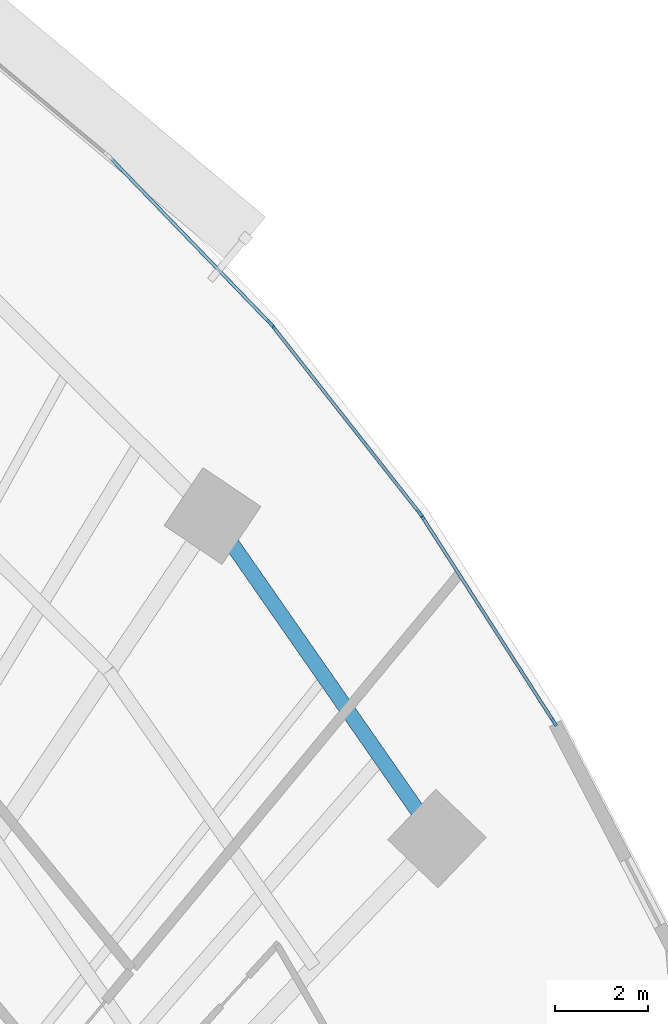
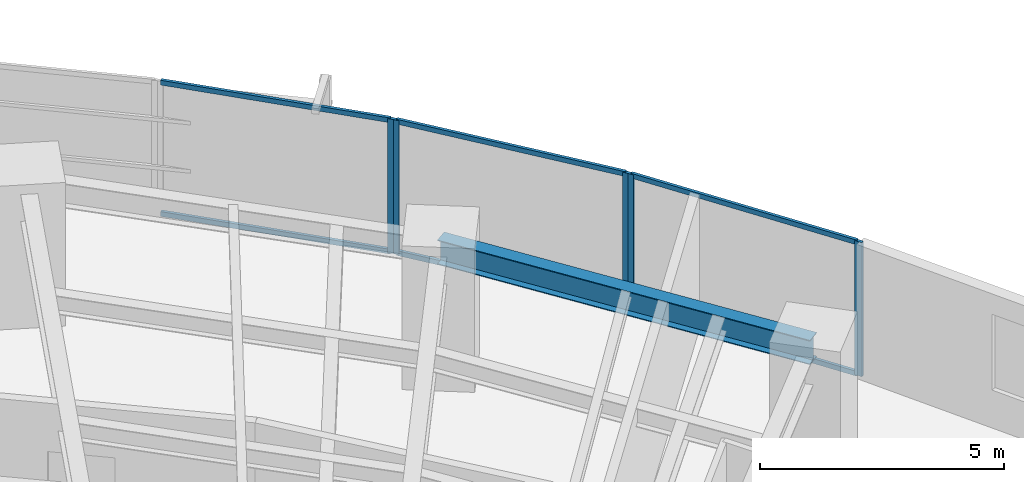
# One storey, part 8 of 17: 11 members, 1 beam, 3 elements without a shape of their own.
"""IFC4 building model written with IfcOpenShell, lengths in metres."""

from ifc_helpers import new_model, si_unit, direction, frame, origin, origin_2d, place, context, subcontext, project, spatial, rectangle, i_section, extrude, source, transform, mapped, material, layer, layer_set, material_profile, profile_set, type_object, element, aggregate, save


model = new_model("IFC4")

# Units and contexts
model_context = context("Model", 3, precision=1e-05, world=origin(), true_north=direction((0.0, 1.0)))
body_context = subcontext(model_context, "Body", "Model", "MODEL_VIEW")
ifc_project = project(units=[si_unit("LENGTHUNIT", "METRE"), si_unit("AREAUNIT", "SQUARE_METRE"), si_unit("VOLUMEUNIT", "CUBIC_METRE"), si_unit("PLANEANGLEUNIT", "RADIAN"), si_unit("MASSUNIT", "GRAM", prefix="KILO")], contexts=[model_context])

# Site, building, storey
site_placement = place(None, origin())
site = spatial("IfcSite", under=ifc_project, at=site_placement, CompositionType="ELEMENT")
building_placement = place(site_placement, origin())
building = spatial("IfcBuilding", under=site, at=building_placement, Name="Breltana Convention Tower", CompositionType="ELEMENT")
storey_placement = place(building_placement, frame((0.0, 0.0, 67.800048828125)))
storey = spatial("IfcBuildingStorey", under=building, at=storey_placement, Name="L15", CompositionType="ELEMENT", Elevation=67.800048828125)

# Beam
ifc_material_1 = material(Name="Steel ASTM A992 Grade 50", Category="steel")
ifc_material_profile_1 = material_profile(ifc_material_1, i_section(OverallWidth=0.323974609375, OverallDepth=0.611083984375, WebThickness=0.0126953125, FlangeThickness=0.01904296875, at=origin_2d()), Name="W24X104")
ifc_profile_set_1 = profile_set([ifc_material_profile_1], Name="Steel ASTM A992 Grade 50")
beam_type = type_object("IfcBeamType", Name="BM-SP-W24X104", PredefinedType="SPANDREL", material=ifc_profile_set_1)
shared_shape_1 = source(origin(), body_context, "Body", "SweptSolid", [
    extrude(i_section(OverallWidth=0.323974609375, OverallDepth=0.611083984375, WebThickness=0.0126953125, FlangeThickness=0.01904296875, at=origin_2d()), origin(), (0.0, 0.0, 1.0), 8.44970703125),
])
beam_placement = place(storey_placement, frame((75.166748046875, 62.43017578125, 3.054443359375), z_axis=(0.5711855381, -0.820820979913, 0.0), x_axis=(0.820820979913, 0.5711855381, 0.0)))
element("IfcBeam", 1, at=beam_placement, inside=storey, type_object=beam_type, Name="L15 Outer Spandrel Beam 10", PredefinedType="SPANDREL", context=body_context, shape_type="MappedRepresentation", body=[
    mapped(shared_shape_1, transform((0.0, 0.0, 0.0), scale=1.0)),
])

# Curtain wall, members
ifc_material_2 = material(Name="Aluminium Anodised Bronze Frame", Category="aluminium")
ifc_layer = layer(ifc_material_2, 0.199951171875, Name="Aluminium Anodised Bronze Frame")
ifc_layer_set = layer_set([ifc_layer], Name="Aluminium Anodised Bronze Frame")
curtain_wall_type = type_object("IfcCurtainWallType", Name="CW-SYS-2", PredefinedType="NOTDEFINED", material=ifc_layer_set)
curtain_wall_1_placement = place(storey_placement, origin())
curtain_wall_1 = element("IfcCurtainWall", 2, at=curtain_wall_1_placement, inside=storey, type_object=curtain_wall_type, Name="L15 outer double-skin inner glazing 17", PredefinedType="NOTDEFINED")
ifc_material_3 = material(Name="Aluminium Anodised Bronze", Category="aluminium")
ifc_material_profile_2 = material_profile(ifc_material_3, rectangle(XDim=0.070068359375, YDim=0.1201171875, at=origin_2d()), Name="CWT-70X120")
ifc_profile_set_2 = profile_set([ifc_material_profile_2], Name="Aluminium Anodised Bronze")
member_type_1 = type_object("IfcMemberType", Name="CWT-120", PredefinedType="USERDEFINED", material=ifc_profile_set_2)
shared_shape_2 = source(origin(), body_context, "Body", "SweptSolid", [
    extrude(rectangle(XDim=0.070068359375, YDim=0.1201171875, at=origin_2d()), origin(), (0.0, 0.0, 1.0), 5.0546875),
])
member_1_placement = place(storey_placement, frame((76.4765625, 66.491455078125, 0.034912109375), z_axis=(0.618135067667, -0.786071903913, 0.0), x_axis=(0.786071903913, 0.618135067667, 0.0)))
member_1 = element("IfcMember", 3, at=member_1_placement, type_object=member_type_1, Name="CW-02 transom 1.1", ObjectType="TRANSOM", PredefinedType="USERDEFINED", context=body_context, shape_type="MappedRepresentation", body=[
    mapped(shared_shape_2, transform((0.0, 0.0, 0.0), scale=1.0)),
])
member_2_placement = place(storey_placement, frame((76.4765625, 66.491455078125, 3.324951171875), z_axis=(0.618135067667, -0.786071903913, 0.0), x_axis=(0.786071903913, 0.618135067667, 0.0)))
member_2 = element("IfcMember", 4, at=member_2_placement, type_object=member_type_1, Name="CW-02 transom 1.2", ObjectType="TRANSOM", PredefinedType="USERDEFINED", context=body_context, shape_type="MappedRepresentation", body=[
    mapped(shared_shape_2, transform((0.0, 0.0, 0.0), scale=1.0)),
])

curtain_wall_2_placement = place(storey_placement, origin())
curtain_wall_2 = element("IfcCurtainWall", 5, at=curtain_wall_2_placement, inside=storey, type_object=curtain_wall_type, Name="L15 outer double-skin inner glazing 16", PredefinedType="NOTDEFINED")
shared_shape_3 = source(origin(), body_context, "Body", "SweptSolid", [
    extrude(rectangle(XDim=0.070068359375, YDim=0.1201171875, at=origin_2d()), origin(), (0.0, 0.0, 1.0), 4.901123046875),
])
member_3_placement = place(storey_placement, frame((72.980224609375, 70.12255859375, 0.034912109375), z_axis=(0.6945945137, -0.719401460617, 0.0), x_axis=(0.719401460617, 0.6945945137, 0.0)))
member_3 = element("IfcMember", 6, at=member_3_placement, type_object=member_type_1, Name="CW-02 transom 1.1", ObjectType="TRANSOM", PredefinedType="USERDEFINED", context=body_context, shape_type="MappedRepresentation", body=[
    mapped(shared_shape_3, transform((0.0, 0.0, 0.0), scale=1.0)),
])
member_4_placement = place(storey_placement, frame((72.980224609375, 70.12255859375, 3.324951171875), z_axis=(0.6945945137, -0.719401460617, 0.0), x_axis=(0.719401460617, 0.6945945137, 0.0)))
member_4 = element("IfcMember", 7, at=member_4_placement, type_object=member_type_1, Name="CW-02 transom 1.2", ObjectType="TRANSOM", PredefinedType="USERDEFINED", context=body_context, shape_type="MappedRepresentation", body=[
    mapped(shared_shape_3, transform((0.0, 0.0, 0.0), scale=1.0)),
])

curtain_wall_3_placement = place(storey_placement, origin())
curtain_wall_3 = element("IfcCurtainWall", 8, at=curtain_wall_3_placement, inside=storey, type_object=curtain_wall_type, Name="L15 outer double-skin inner glazing 18", PredefinedType="NOTDEFINED")
shared_shape_4 = source(origin(), body_context, "Body", "SweptSolid", [
    extrude(rectangle(XDim=0.070068359375, YDim=0.1201171875, at=origin_2d()), origin(), (0.0, 0.0, 1.0), 5.205810546875),
])
member_5_placement = place(storey_placement, frame((79.68212890625, 62.404296875, 0.034912109375), z_axis=(0.540179102764, -0.841550079875, 0.0), x_axis=(0.841550079875, 0.540179102764, 0.0)))
member_5 = element("IfcMember", 9, at=member_5_placement, type_object=member_type_1, Name="CW-02 transom 1.1", ObjectType="TRANSOM", PredefinedType="USERDEFINED", context=body_context, shape_type="MappedRepresentation", body=[
    mapped(shared_shape_4, transform((0.0, 0.0, 0.0), scale=1.0)),
])
member_6_placement = place(storey_placement, frame((79.68212890625, 62.404296875, 3.324951171875), z_axis=(0.540179102764, -0.841550079875, 0.0), x_axis=(0.841550079875, 0.540179102764, 0.0)))
member_6 = element("IfcMember", 10, at=member_6_placement, type_object=member_type_1, Name="CW-02 transom 1.2", ObjectType="TRANSOM", PredefinedType="USERDEFINED", context=body_context, shape_type="MappedRepresentation", body=[
    mapped(shared_shape_4, transform((0.0, 0.0, 0.0), scale=1.0)),
])

# Member
ifc_material_profile_3 = material_profile(ifc_material_3, rectangle(XDim=0.070068359375, YDim=0.175048828125, at=origin_2d()), Name="CWM-70X175")
ifc_profile_set_3 = profile_set([ifc_material_profile_3], Name="Aluminium Anodised Bronze")
member_type_2 = type_object("IfcMemberType", Name="CWM-175", PredefinedType="MULLION", material=ifc_profile_set_3)
shared_shape_5 = source(origin(), body_context, "Body", "SweptSolid", [
    extrude(rectangle(XDim=0.070068359375, YDim=0.175048828125, at=origin_2d()), origin(), (0.0, 0.0, 1.0), 3.35986328125),
])
member_7_placement = place(storey_placement, frame((76.408935546875, 66.571533203125, 0.0), z_axis=(0.0, 0.0, 1.0), x_axis=(0.719386421003, 0.694610090106, 0.0)))
member_7 = element("IfcMember", 11, at=member_7_placement, type_object=member_type_2, Name="CW-02 mullion 2", PredefinedType="MULLION", context=body_context, shape_type="MappedRepresentation", body=[
    mapped(shared_shape_5, transform((0.0, 0.0, 0.0), scale=1.0)),
])

aggregate(curtain_wall_2, [member_7, member_3, member_4])

member_8_placement = place(storey_placement, frame((76.454833984375, 66.518798828125, 0.0), z_axis=(0.0, 0.0, 1.0), x_axis=(0.786057080698, 0.618153917633, 0.0)))
member_8 = element("IfcMember", 12, at=member_8_placement, type_object=member_type_2, Name="CW-02 mullion 1", PredefinedType="MULLION", context=body_context, shape_type="MappedRepresentation", body=[
    mapped(shared_shape_5, transform((0.0, 0.0, 0.0), scale=1.0)),
])

member_9_placement = place(storey_placement, frame((79.62255859375, 62.49072265625, 0.0), z_axis=(0.0, 0.0, 1.0), x_axis=(0.786057080698, 0.618153917633, 0.0)))
member_9 = element("IfcMember", 13, at=member_9_placement, type_object=member_type_2, Name="CW-02 mullion 2", PredefinedType="MULLION", context=body_context, shape_type="MappedRepresentation", body=[
    mapped(shared_shape_5, transform((0.0, 0.0, 0.0), scale=1.0)),
])

aggregate(curtain_wall_1, [member_8, member_9, member_1, member_2])

member_10_placement = place(storey_placement, frame((79.6630859375, 62.43359375, 0.0), z_axis=(0.0, 0.0, 1.0), x_axis=(0.841549039154, 0.540180724109, 0.0)))
member_10 = element("IfcMember", 14, at=member_10_placement, type_object=member_type_2, Name="CW-02 mullion 1", PredefinedType="MULLION", context=body_context, shape_type="MappedRepresentation", body=[
    mapped(shared_shape_5, transform((0.0, 0.0, 0.0), scale=1.0)),
])

member_11_placement = place(storey_placement, frame((82.512939453125, 57.993896484375, 0.0), z_axis=(0.0, 0.0, 1.0), x_axis=(0.841549039154, 0.540180724109, 0.0)))
member_11 = element("IfcMember", 15, at=member_11_placement, type_object=member_type_2, Name="CW-02 mullion 2", PredefinedType="MULLION", context=body_context, shape_type="MappedRepresentation", body=[
    mapped(shared_shape_5, transform((0.0, 0.0, 0.0), scale=1.0)),
])

aggregate(curtain_wall_3, [member_10, member_11, member_5, member_6])

save(model, "model.ifc")
